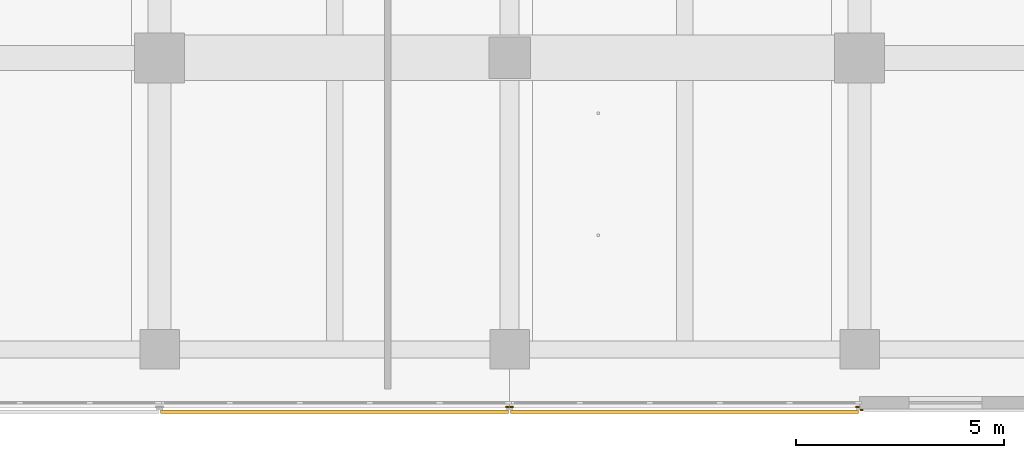
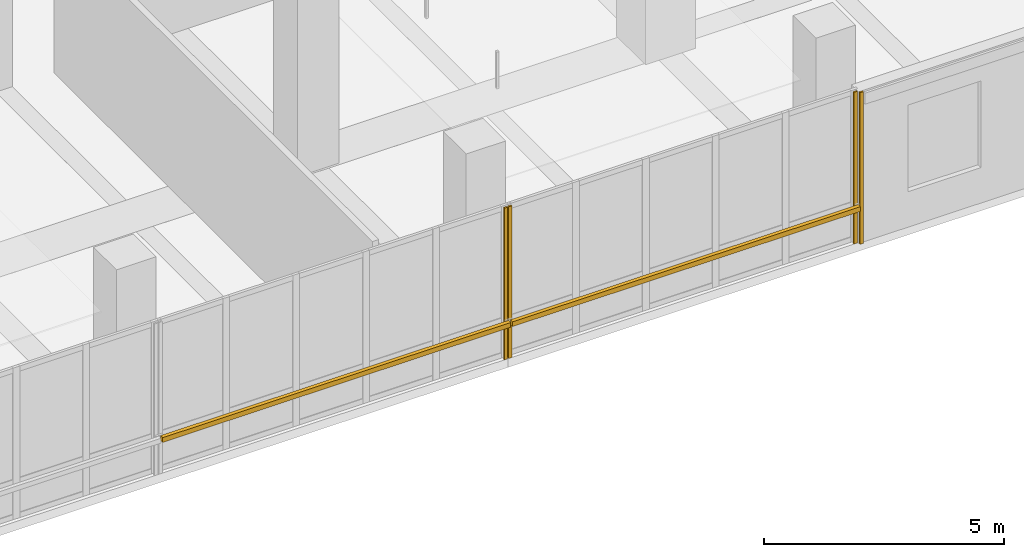
# One storey, part 111 of 122: 4 coverings, 2 shading devices.
"""IFC4 building model written with IfcOpenShell, lengths in metres."""

from ifc_helpers import new_model, si_unit, direction, frame, origin, origin_2d, place, context, subcontext, project, spatial, rectangle, extrude, material, layer, layer_set, type_object, element, save


model = new_model("IFC4")

# Units and contexts
model_context = context("Model", 3, precision=1e-05, world=origin(), true_north=direction((0.0, 1.0)))
body_context = subcontext(model_context, "Body", "Model", "MODEL_VIEW")
ifc_project = project(units=[si_unit("LENGTHUNIT", "METRE"), si_unit("AREAUNIT", "SQUARE_METRE"), si_unit("VOLUMEUNIT", "CUBIC_METRE"), si_unit("PLANEANGLEUNIT", "RADIAN"), si_unit("MASSUNIT", "GRAM", prefix="KILO")], contexts=[model_context])

# Site, building, storey
site_placement = place(None, origin())
site = spatial("IfcSite", under=ifc_project, at=site_placement, CompositionType="ELEMENT")
building_placement = place(site_placement, origin())
building = spatial("IfcBuilding", under=site, at=building_placement, Name="Telukmera Botanical Conservatory", CompositionType="ELEMENT")
storey_placement = place(building_placement, frame((0.0, 0.0, 10.199951171875)))
storey = spatial("IfcBuildingStorey", under=building, at=storey_placement, Name="L02", CompositionType="ELEMENT", Elevation=10.199951171875)

# Coverings
ifc_material_1 = material(Name="Granite-faced precast concrete C40/50", Category="masonry")
ifc_layer_1 = layer(ifc_material_1, 0.0400390625)
ifc_layer_set_1 = layer_set([ifc_layer_1], Name="Granite-faced precast concrete C40/50")
covering_type = type_object("IfcCoveringType", Name="Granite Precast Column Pier Reveal Casing", PredefinedType="CLADDING", material=ifc_layer_set_1)
for number, where, z_axis, x_axis, name in (
    (1, (92.347900390625, 9.219970703125, 0.0), (0.0, 0.0, 1.0), (1.0, 0.0, 0.0), "Granite Pier Reveal V4:L02:S5 R"),
    (2, (92.451904296875, 9.219970703125, 0.0), (0.0, 0.0, 1.0), (1.0, 0.0, 0.0), "Granite Pier Reveal V4:L02:S6 L"),
    (3, (100.748046875, 9.219970703125, 0.0), (0.0, 0.0, 1.0), (1.0, 0.0, 0.0), "Granite Pier Reveal V4:L02:S6 R"),
    (4, (100.85205078125, 9.14990234375, 0.0), (0.0, 0.0, 1.0), (1.0, 0.0, 0.0), "Granite Pier Reveal V4:L02:S7 L"),
):
    element("IfcCovering", number, at=place(storey_placement, frame(where, z_axis=z_axis, x_axis=x_axis)), inside=storey, type_object=covering_type, Name=name, PredefinedType="CLADDING", context=body_context, shape_type="SweptSolid", body=[
        extrude(rectangle(XDim=0.080078125, YDim=0.0400390625, at=origin_2d()), origin(), (0.0, 0.0, 1.0), 3.85009765625),
    ])

# Shading devices
ifc_material_2 = material(Name="Perforated terracotta-anodised aluminium 6063-T6", Category="masonry")
ifc_layer_2 = layer(ifc_material_2, 0.044921875)
ifc_layer_set_2 = layer_set([ifc_layer_2], Name="Perforated terracotta-anodised aluminium 6063-T6")
shading_device_type = type_object("IfcShadingDeviceType", Name="Perforated Terracotta Aluminium Monsoon Brise Soleil", PredefinedType="JALOUSIE", material=ifc_layer_set_2)
for number, where, z_axis, x_axis, name in (
    (5, (88.199951171875, 9.10498046875, 0.889892578125), (0.0, 0.0, 1.0), (1.0, 0.0, 0.0), "Monsoon Shading BS01 V4:L02:S5"),
    (6, (96.60009765625, 9.10498046875, 0.889892578125), (0.0, 0.0, 1.0), (1.0, 0.0, 0.0), "Monsoon Shading BS01 V4:L02:S6"),
):
    element("IfcShadingDevice", number, at=place(storey_placement, frame(where, z_axis=z_axis, x_axis=x_axis)), inside=storey, type_object=shading_device_type, Name=name, PredefinedType="JALOUSIE", context=body_context, shape_type="SweptSolid", body=[
        extrude(rectangle(XDim=8.35595703125, YDim=0.090087890625, at=origin_2d()), origin(), (0.0, 0.0, 1.0), 0.1201171875),
    ])

save(model, "model.ifc")
